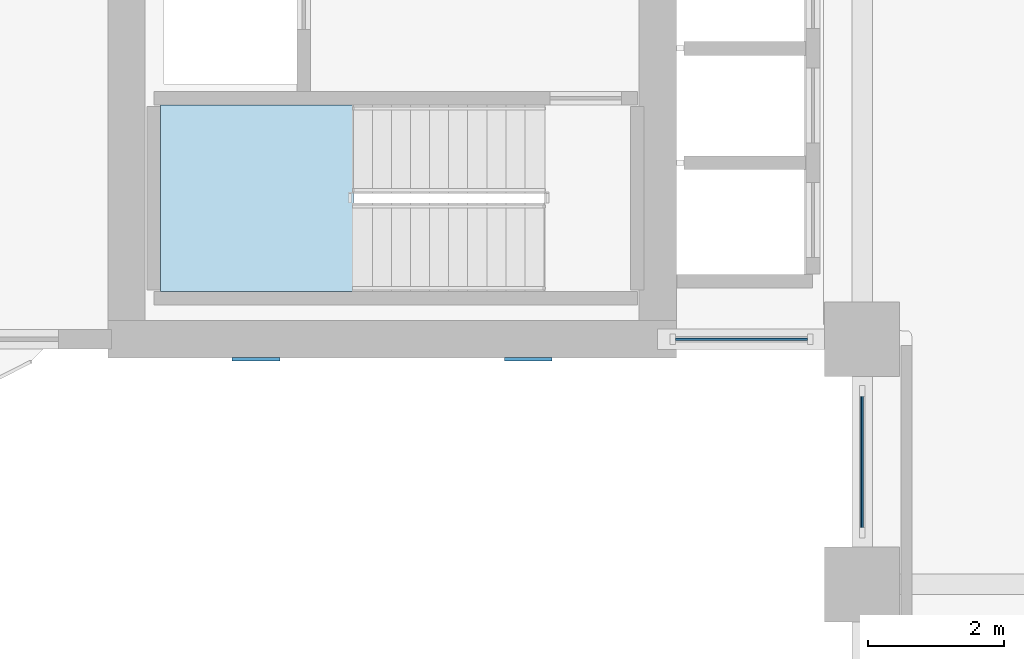
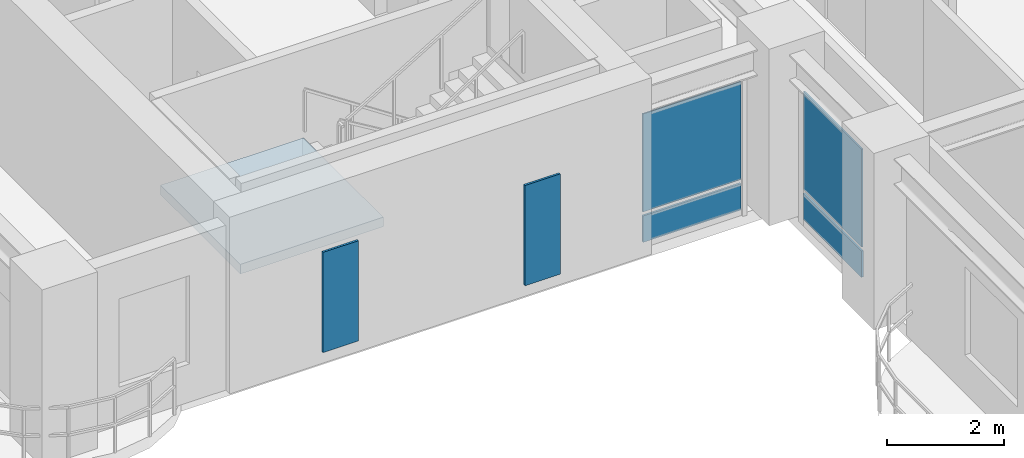
# One storey, part 8 of 21: 6 plates, 1 slab, 3 elements without a shape of their own.
"""IFC4 building model written with IfcOpenShell, lengths in metres."""

import ifcopenshell
import ifcopenshell.guid

model = None  # the IFC model being written
_history = None  # IfcOwnerHistory: only IFC2X3 demands one
_inside = {}  # id of a spatial element -> (the spatial element, [elements in it])
_under = {}  # id of a project, library or spatial element -> (it, [spatial elements below it])
_declared = {}  # id of a project -> (the project, [libraries it declares])
_typed = {}  # id of a type object -> (the type object, [elements of that type])
_made_of = {}  # id of a material, layer set ... -> (it, [elements and type objects made of it])


def new_model(schema):
    """Start an empty IFC model of exactly this schema.

    Asked for "IFC4X3", IfcOpenShell would pick the latest addendum, in which some entities
    have other attributes; the version numbers below select the first issue.
    IFC2X3 requires an IfcOwnerHistory on every rooted entity: one is made here for all.
    """
    global model, _history
    if schema == "IFC4X3":
        model = ifcopenshell.file(schema_version=(4, 3, 0, 0))
    else:
        model = ifcopenshell.file(schema=schema)
    _inside.clear()
    _under.clear()
    _declared.clear()
    _typed.clear()
    _made_of.clear()
    _history = None
    if model.schema == "IFC2X3":
        org = make("IfcOrganization", Name="unknown")
        user = make(
            "IfcPersonAndOrganization",
            ThePerson=make("IfcPerson", FamilyName="unknown"),
            TheOrganization=org,
        )
        app = make(
            "IfcApplication",
            ApplicationDeveloper=org,
            Version="unknown",
            ApplicationFullName="unknown",
            ApplicationIdentifier="unknown",
        )
        _history = make(
            "IfcOwnerHistory",
            OwningUser=user,
            OwningApplication=app,
            ChangeAction="ADDED",
            CreationDate=0,
        )
    return model


def make(cls, **values):
    """One entity of the class cls with the attributes given. An attribute that is None is left unset."""
    return model.create_entity(
        cls, **{name: value for name, value in values.items() if value is not None}
    )


def rooted(cls, **values):
    """An entity with a GlobalId (a new one), such as an element, a storey or a relation."""
    return make(cls, GlobalId=ifcopenshell.guid.new(), OwnerHistory=_history, **values)


def si_unit(unit_type, name, prefix=None):
    """IfcSIUnit, for example si_unit("LENGTHUNIT", "METRE", prefix="MILLI")."""
    return make("IfcSIUnit", UnitType=unit_type, Prefix=prefix, Name=name)


def derived_unit(unit_type, elements):
    """IfcDerivedUnit: a product of units, each with its exponent."""
    return make(
        "IfcDerivedUnit",
        Elements=[
            make("IfcDerivedUnitElement", Unit=unit, Exponent=power)
            for unit, power in elements
        ],
        UnitType=unit_type,
    )


def assignment(units):
    """IfcUnitAssignment: the units of a project."""
    return None if units is None else make("IfcUnitAssignment", Units=units)


def point(xyz):
    """IfcCartesianPoint."""
    return None if xyz is None else make("IfcCartesianPoint", Coordinates=xyz)


def direction(xyz):
    """IfcDirection."""
    return None if xyz is None else make("IfcDirection", DirectionRatios=xyz)


def frame(location, z_axis=None, x_axis=None):
    """IfcAxis2Placement3D, a coordinate frame: its origin and axes. An axis left out is left unset."""
    return make(
        "IfcAxis2Placement3D",
        Location=point(location),
        Axis=direction(z_axis),
        RefDirection=direction(x_axis),
    )


def frame_2d(location, x_axis=None):
    """IfcAxis2Placement2D, a coordinate frame in the plane: its origin and x axis."""
    return make(
        "IfcAxis2Placement2D", Location=point(location), RefDirection=direction(x_axis)
    )


def origin():
    """The frame at (0, 0, 0) with its axes left unset."""
    return frame((0.0, 0.0, 0.0))


def origin_2d():
    """The frame at (0, 0) in the plane with its x axis left unset."""
    return frame_2d((0.0, 0.0))


def place(relative_to, where):
    """IfcLocalPlacement: puts the frame where relative to a parent placement (None: the world)."""
    return make(
        "IfcLocalPlacement", PlacementRelTo=relative_to, RelativePlacement=where
    )


def context(
    kind, dimensions, precision=None, world=None, true_north=None, identifier=None
):
    """IfcGeometricRepresentationContext, for example the 3D "Model" context."""
    return make(
        "IfcGeometricRepresentationContext",
        ContextIdentifier=identifier,
        ContextType=kind,
        CoordinateSpaceDimension=dimensions,
        Precision=precision,
        WorldCoordinateSystem=world,
        TrueNorth=true_north,
    )


def subcontext(parent, identifier, kind, view, scale=None):
    """IfcGeometricRepresentationSubContext, for example "Body" below "Model"."""
    return make(
        "IfcGeometricRepresentationSubContext",
        ContextIdentifier=identifier,
        ContextType=kind,
        ParentContext=parent,
        TargetScale=scale,
        TargetView=view,
    )


def project(units=None, contexts=None):
    """IfcProject with its units and contexts."""
    return rooted(
        "IfcProject",
        Name="project",
        RepresentationContexts=contexts,
        UnitsInContext=assignment(units),
    )


def spatial(cls, under=None, at=None, **own):
    """A site, building, storey or space (cls), placed at a placement, below another one or the project."""
    s = rooted(cls, ObjectPlacement=at, **own)
    if under is not None:
        _under.setdefault(under.id(), (under, []))[1].append(s)
    return s


def polyline(points):
    """IfcPolyline through the points."""
    return make("IfcPolyline", Points=[point(p) for p in points])


def profile(cls, at=None, kind="AREA", **sizes):
    """A parametric profile (cls). Its sizes go by their IFC names, for example OverallWidth=200.0."""
    return make(cls, ProfileType=kind, Position=at, **sizes)


def rectangle(**sizes):
    """IfcRectangleProfileDef."""
    return profile("IfcRectangleProfileDef", **sizes)


def outline(outer, holes=None, kind="AREA"):
    """IfcArbitraryClosedProfileDef: a profile drawn as a closed curve; with holes, ...WithVoids."""
    if holes is None:
        return make("IfcArbitraryClosedProfileDef", ProfileType=kind, OuterCurve=outer)
    return make(
        "IfcArbitraryProfileDefWithVoids",
        ProfileType=kind,
        OuterCurve=outer,
        InnerCurves=holes,
    )


def extrude(swept, where, along, depth):
    """IfcExtrudedAreaSolid: the profile swept, set in the frame where, extruded along a direction by depth."""
    return make(
        "IfcExtrudedAreaSolid",
        SweptArea=swept,
        Position=where,
        ExtrudedDirection=direction(along),
        Depth=depth,
    )


def shape(context_of_items, identifier, shape_type, items):
    """IfcShapeRepresentation: the items that make up one representation, for example the "Body"."""
    return make(
        "IfcShapeRepresentation",
        ContextOfItems=context_of_items,
        RepresentationIdentifier=identifier,
        RepresentationType=shape_type,
        Items=items,
    )


def source(mapping_origin, context_of_items, identifier, shape_type, items):
    """IfcRepresentationMap: a shape defined once, which mapped items show again and again."""
    return make(
        "IfcRepresentationMap",
        MappingOrigin=mapping_origin,
        MappedRepresentation=shape(context_of_items, identifier, shape_type, items),
    )


def transform(
    local_origin,
    x_axis=None,
    y_axis=None,
    z_axis=None,
    scale=None,
    scale2=None,
    scale3=None,
    uniform=True,
):
    """IfcCartesianTransformationOperator3D, or its non-uniform kind. x_axis, y_axis, z_axis: its Axis1, 2, 3."""
    if uniform:
        return make(
            "IfcCartesianTransformationOperator3D",
            Axis1=direction(x_axis),
            Axis2=direction(y_axis),
            LocalOrigin=point(local_origin),
            Scale=scale,
            Axis3=direction(z_axis),
        )
    return make(
        "IfcCartesianTransformationOperator3DnonUniform",
        Axis1=direction(x_axis),
        Axis2=direction(y_axis),
        LocalOrigin=point(local_origin),
        Scale=scale,
        Axis3=direction(z_axis),
        Scale2=scale2,
        Scale3=scale3,
    )


def mapped(mapping_source, mapping_target):
    """IfcMappedItem: shows the shape of a source again, moved by a transform."""
    return make(
        "IfcMappedItem", MappingSource=mapping_source, MappingTarget=mapping_target
    )


def material(Name=None, Category=None):
    """IfcMaterial."""
    return make("IfcMaterial", Name=Name, Category=Category)


def layer(
    of_material, thickness, ventilated=None, Name=None, Category=None, Priority=None
):
    """IfcMaterialLayer: one layer of a wall or slab, of a material (None: an air gap)."""
    return make(
        "IfcMaterialLayer",
        Material=of_material,
        LayerThickness=thickness,
        IsVentilated=ventilated,
        Name=Name,
        Category=Category,
        Priority=Priority,
    )


def layer_set(layers, Name=None):
    """IfcMaterialLayerSet."""
    return make("IfcMaterialLayerSet", MaterialLayers=layers, LayerSetName=Name)


def made_of(thing, what):
    """Note that an element or type object is made of a material, layer set ...; save() writes the relation."""
    if what is not None:
        _made_of.setdefault(what.id(), (what, []))[1].append(thing)
    return thing


def type_object(cls, material=None, **own):
    """A type object (cls), such as IfcWallType, which elements share."""
    return made_of(rooted(cls, **own), material)


def type_shapes(of_type, sources):
    """Give a type object the sources (RepresentationMaps) that its elements show as mapped items."""
    of_type.RepresentationMaps = sources


def element(
    cls,
    number,
    at=None,
    inside=None,
    cuts=None,
    type_object=None,
    material=None,
    context=None,
    identifier="Body",
    shape_type=None,
    held_by="IfcProductDefinitionShape",
    body=None,
    shapes=None,
    **own,
):
    """One element of the class cls, such as IfcWall. Its Tag is "e" and its number.

    at: its placement. inside: the storey or other place that contains it. cuts: it is an
    opening in that element (IfcRelVoidsElement). A single representation is given by context,
    identifier, shape_type and body (its items); several are given by shapes. held_by: the class
    of the entity that holds the representations. save() writes the other relations.
    """
    e = rooted(cls, Tag="e%d" % number, ObjectPlacement=at, **own)
    if body is not None:
        shapes = [shape(context, identifier, shape_type, body)]
    if shapes is not None:
        e.Representation = make(held_by, Representations=shapes)
    if inside is not None:
        _inside.setdefault(inside.id(), (inside, []))[1].append(e)
    if cuts is not None:
        rooted(
            "IfcRelVoidsElement", RelatingBuildingElement=cuts, RelatedOpeningElement=e
        )
    if type_object is not None:
        _typed.setdefault(type_object.id(), (type_object, []))[1].append(e)
    return made_of(e, material)


def aggregate(whole, parts):
    """IfcRelAggregates: a whole, such as a stair, and the parts it consists of."""
    return rooted("IfcRelAggregates", RelatingObject=whole, RelatedObjects=parts)


def save(model, path):
    """Write the relations noted so far, then the file.

    IfcRelAggregates (storeys below a building ...), IfcRelContainedInSpatialStructure (elements
    in a storey), IfcRelDefinesByType, IfcRelAssociatesMaterial and IfcRelDeclares: one each for
    every whole, place, type object, material and project.
    """
    for whole, parts in _under.values():
        aggregate(whole, parts)
    for where, things in _inside.values():
        rooted(
            "IfcRelContainedInSpatialStructure",
            RelatedElements=things,
            RelatingStructure=where,
        )
    for kind, things in _typed.values():
        rooted("IfcRelDefinesByType", RelatedObjects=things, RelatingType=kind)
    for what, things in _made_of.values():
        rooted("IfcRelAssociatesMaterial", RelatedObjects=things, RelatingMaterial=what)
    for by, libraries in _declared.values():
        rooted("IfcRelDeclares", RelatingContext=by, RelatedDefinitions=libraries)
    model.write(path)


model = new_model("IFC4")

# Units and contexts
model_context = context("Model", 3, precision=1e-05, world=origin(), true_north=direction((0.0, 1.0)))
body_context = subcontext(model_context, "Body", "Model", "MODEL_VIEW")
ifc_project = project(units=[si_unit("LENGTHUNIT", "METRE"), si_unit("AREAUNIT", "SQUARE_METRE"), si_unit("VOLUMEUNIT", "CUBIC_METRE"), si_unit("PLANEANGLEUNIT", "RADIAN"), si_unit("MASSUNIT", "GRAM", prefix="KILO"), si_unit("THERMODYNAMICTEMPERATUREUNIT", "KELVIN"), si_unit("POWERUNIT", "WATT"), derived_unit("THERMALTRANSMITTANCEUNIT", [(si_unit("POWERUNIT", "WATT"), 1), (si_unit("AREAUNIT", "SQUARE_METRE"), -1), (si_unit("THERMODYNAMICTEMPERATUREUNIT", "KELVIN"), -1)])], contexts=[model_context])

# Site, building, storey
site_placement = place(None, origin())
site = spatial("IfcSite", under=ifc_project, at=site_placement, CompositionType="ELEMENT")
building_placement = place(site_placement, origin())
building = spatial("IfcBuilding", under=site, at=building_placement, Name="Zahravan Archway Hotel and Residences", CompositionType="ELEMENT")
storey_placement = place(building_placement, frame((0.0, 0.0, 65.699951171875)))
storey = spatial("IfcBuildingStorey", under=building, at=storey_placement, Name="L15", CompositionType="ELEMENT", Elevation=65.699951171875)

# Stair, slab
ifc_material_1 = material(Name="Concrete C50/60", Category="concrete")
stair_type = type_object("IfcStairType", Name="STR-CORE-1300", PredefinedType="HALF_TURN_STAIR", material=ifc_material_1)
stair_placement = place(storey_placement, origin())
stair = element("IfcStair", 1, at=stair_placement, inside=storey, type_object=stair_type, Name="L15 Core B Exit Stair 1", PredefinedType="HALF_TURN_STAIR")
ifc_layer_1 = layer(ifc_material_1, 0.199951171875, Name="Concrete C50/60", Category="concrete")
ifc_layer_set_1 = layer_set([ifc_layer_1], Name="Concrete C50/60")
slab_type = type_object("IfcSlabType", Name="SLB-LND-200", PredefinedType="LANDING", material=ifc_layer_set_1)
slab_placement = place(storey_placement, frame((0.0, 0.0, 1.650146484375)))
slab = element("IfcSlab", 2, at=slab_placement, type_object=slab_type, Name="ST-B1 landing 1", PredefinedType="LANDING", context=body_context, shape_type="SweptSolid", body=[
    extrude(outline(polyline([(6.929931640625, 28.639892578125), (4.10009765625, 28.639892578125), (4.10009765625, 25.89990234375), (6.929931640625, 25.89990234375), (6.929931640625, 28.639892578125)])), origin(), (0.0, 0.0, 1.0), 0.199951171875),
])
aggregate(stair, [slab])

# Plates
ifc_material_2 = material(Name="Perforated Cast Bronze Jali Lattice")
ifc_layer_2 = layer(ifc_material_2, 0.044921875, Name="Perforated Cast Bronze Jali Lattice")
ifc_layer_set_2 = layer_set([ifc_layer_2], Name="Perforated Cast Bronze Jali Lattice")
plate_type_1 = type_object("IfcPlateType", Name="PLT-JALI-BAY", PredefinedType="USERDEFINED", material=ifc_layer_set_2)
shared_shape_1 = source(origin(), body_context, "Body", "SweptSolid", [
    extrude(rectangle(XDim=0.699951171875, YDim=0.044921875, at=origin_2d()), origin(), (0.0, 0.0, 1.0), 2.10009765625),
])
type_shapes(plate_type_1, [shared_shape_1])
for number, where, z_axis, x_axis, name in (
    (3, (5.5, 24.906982421875, 0.25), (0.0, 0.0, 1.0), (1.0, 0.0, 0.0), "L15 Core B South Mughal Jali Screen 1"),
    (4, (9.5, 24.906982421875, 0.25), (0.0, 0.0, 1.0), (1.0, 0.0, 0.0), "L15 Core B South Mughal Jali Screen 2"),
):
    element("IfcPlate", number, at=place(storey_placement, frame(where, z_axis=z_axis, x_axis=x_axis)), inside=storey, type_object=plate_type_1, Name=name, ObjectType="SCREEN", PredefinedType="USERDEFINED", context=body_context, shape_type="MappedRepresentation", body=[
        mapped(shared_shape_1, transform((0.0, 0.0, 0.0), scale=1.0)),
    ])

# Curtain wall, plates
ifc_material_3 = material(Name="Bronze-Anodized Unitised Aluminium & Low-E Glass", Category="aluminium")
ifc_layer_3 = layer(ifc_material_3, 0.179931640625, Name="Bronze-Anodized Unitised Aluminium & Low-E Glass", Category="aluminium")
ifc_layer_set_3 = layer_set([ifc_layer_3], Name="Bronze-Anodized Unitised Aluminium & Low-E Glass")
curtain_wall_type = type_object("IfcCurtainWallType", Name="CW-SBG-1", PredefinedType="NOTDEFINED", material=ifc_layer_set_3)
curtain_wall_1_placement = place(storey_placement, origin())
curtain_wall_1 = element("IfcCurtainWall", 5, at=curtain_wall_1_placement, inside=storey, type_object=curtain_wall_type, Name="L15 Curtain Wall CW-L15-WB-SE-1", PredefinedType="NOTDEFINED")
ifc_material_4 = material(Name="Insulated Terracotta Spandrel Panel", Category="masonry")
ifc_layer_4 = layer(ifc_material_4, 0.0400390625, Name="Insulated Terracotta Spandrel Panel", Category="masonry")
ifc_layer_set_4 = layer_set([ifc_layer_4], Name="Insulated Terracotta Spandrel Panel")
plate_type_2 = type_object("IfcPlateType", Name="CWP-SPN-40", PredefinedType="SHEET", material=ifc_layer_set_4)
shared_shape_2 = source(origin(), body_context, "Body", "SweptSolid", [
    extrude(rectangle(XDim=1.93994140625, YDim=0.0400390625, at=origin_2d()), origin(), (0.0, 0.0, 1.0), 0.552490234375),
])
plate_1_placement = place(storey_placement, frame((12.6298828125, 25.199951171875, 0.10009765625), z_axis=(0.0, 0.0, 1.0), x_axis=(1.0, 0.0, 0.0)))
plate_1 = element("IfcPlate", 6, at=plate_1_placement, type_object=plate_type_2, Name="CW-L15-WB-SE-1 Spandrel Panel 0", PredefinedType="SHEET", context=body_context, shape_type="MappedRepresentation", body=[
    mapped(shared_shape_2, transform((0.0, 0.0, 0.0), scale=1.0)),
])
ifc_material_5 = material(Name="Double-Silver Low-E Insulated Vision Glass", Category="glass")
ifc_layer_5 = layer(ifc_material_5, 0.028076171875, Name="Double-Silver Low-E Insulated Vision Glass", Category="glass")
ifc_layer_set_5 = layer_set([ifc_layer_5], Name="Double-Silver Low-E Insulated Vision Glass")
plate_type_3 = type_object("IfcPlateType", Name="CWP-GLZ-28", PredefinedType="CURTAIN_PANEL", material=ifc_layer_set_5)
shared_shape_3 = source(origin(), body_context, "Body", "SweptSolid", [
    extrude(rectangle(XDim=1.93994140625, YDim=0.028076171875, at=origin_2d()), origin(), (0.0, 0.0, 1.0), 2.052490234375),
])
plate_2_placement = place(storey_placement, frame((12.6298828125, 25.199951171875, 0.732421875), z_axis=(0.0, 0.0, 1.0), x_axis=(1.0, 0.0, 0.0)))
plate_2 = element("IfcPlate", 7, at=plate_2_placement, type_object=plate_type_3, Name="CW-L15-WB-SE-1 Low-E Vision Panel 0", PredefinedType="CURTAIN_PANEL", context=body_context, shape_type="MappedRepresentation", body=[
    mapped(shared_shape_3, transform((0.0, 0.0, 0.0), scale=1.0)),
])
aggregate(curtain_wall_1, [plate_1, plate_2])

curtain_wall_2_placement = place(storey_placement, origin())
curtain_wall_2 = element("IfcCurtainWall", 8, at=curtain_wall_2_placement, inside=storey, type_object=curtain_wall_type, Name="L15 Curtain Wall CW-L15-WA-WLU-1", PredefinedType="NOTDEFINED")
shared_shape_4 = source(origin(), body_context, "Body", "SweptSolid", [
    extrude(rectangle(XDim=2.0, YDim=0.0400390625, at=origin_2d()), origin(), (0.0, 0.0, 1.0), 0.552490234375),
])
plate_3_placement = place(storey_placement, frame((14.39990234375, 23.39990234375, 0.10009765625), z_axis=(0.0, 0.0, 1.0), x_axis=(0.0, 1.0, 0.0)))
plate_3 = element("IfcPlate", 9, at=plate_3_placement, type_object=plate_type_2, Name="CW-L15-WA-WLU-1 Spandrel Panel 0", PredefinedType="SHEET", context=body_context, shape_type="MappedRepresentation", body=[
    mapped(shared_shape_4, transform((0.0, 0.0, 0.0), scale=1.0)),
])
shared_shape_5 = source(origin(), body_context, "Body", "SweptSolid", [
    extrude(rectangle(XDim=2.0, YDim=0.028076171875, at=origin_2d()), origin(), (0.0, 0.0, 1.0), 2.052490234375),
])
plate_4_placement = place(storey_placement, frame((14.39990234375, 23.39990234375, 0.732421875), z_axis=(0.0, 0.0, 1.0), x_axis=(0.0, 1.0, 0.0)))
plate_4 = element("IfcPlate", 10, at=plate_4_placement, type_object=plate_type_3, Name="CW-L15-WA-WLU-1 Low-E Vision Panel 0", PredefinedType="CURTAIN_PANEL", context=body_context, shape_type="MappedRepresentation", body=[
    mapped(shared_shape_5, transform((0.0, 0.0, 0.0), scale=1.0)),
])
aggregate(curtain_wall_2, [plate_3, plate_4])

save(model, "model.ifc")
